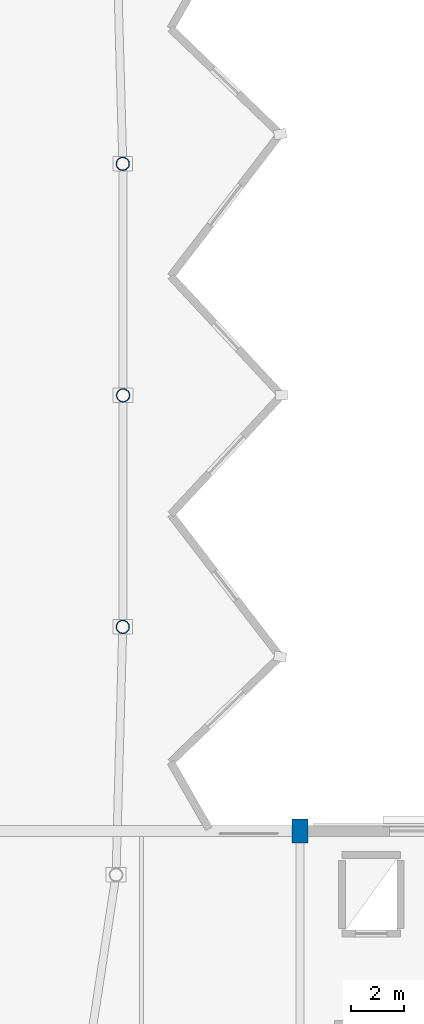
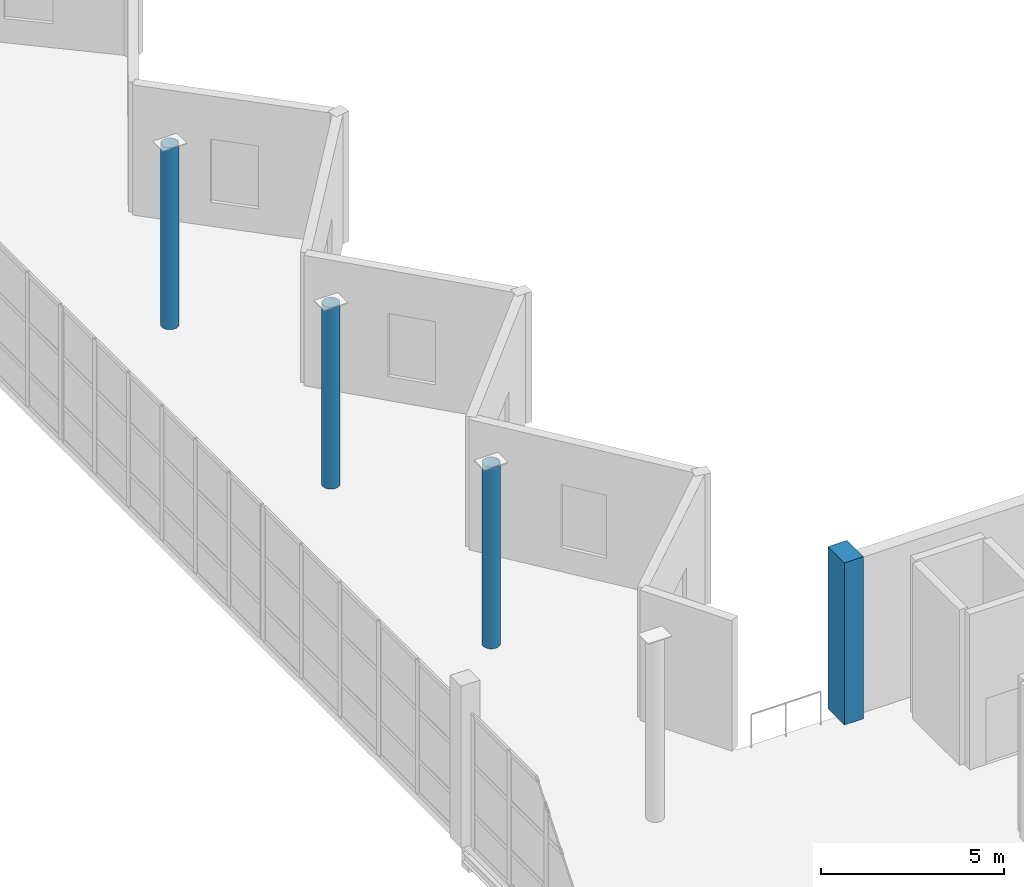
# One storey, part 5 of 49: 4 columns.
"""IFC4 building model written with IfcOpenShell, lengths in metres."""

from ifc_helpers import new_model, si_unit, direction, frame, origin, origin_2d, place, context, subcontext, project, spatial, rectangle, hollow_circle, extrude, material, material_profile, profile_set, type_object, element, save


model = new_model("IFC4")

# Units and contexts
model_context = context("Model", 3, precision=1e-05, world=origin(), true_north=direction((0.0, 1.0)))
body_context = subcontext(model_context, "Body", "Model", "MODEL_VIEW")
ifc_project = project(units=[si_unit("LENGTHUNIT", "METRE"), si_unit("AREAUNIT", "SQUARE_METRE"), si_unit("VOLUMEUNIT", "CUBIC_METRE"), si_unit("PLANEANGLEUNIT", "RADIAN"), si_unit("MASSUNIT", "GRAM", prefix="KILO")], contexts=[model_context])

# Site, building, storey
site_placement = place(None, origin())
site = spatial("IfcSite", under=ifc_project, at=site_placement, CompositionType="ELEMENT")
building_placement = place(site_placement, origin())
building = spatial("IfcBuilding", under=site, at=building_placement, Name="Luwafu Chhajja Arena", CompositionType="ELEMENT")
storey_placement = place(building_placement, frame((0.0, 0.0, 24.300048828125)))
storey = spatial("IfcBuildingStorey", under=building, at=storey_placement, Name="L05", CompositionType="ELEMENT", Elevation=24.300048828125)

# Columns
ifc_material_1 = material(Name="Steel S355", Category="steel")
ifc_material_profile_1 = material_profile(ifc_material_1, hollow_circle(Radius=0.25390625, WallThickness=0.02001953125, at=origin_2d()), Name="CHS 508x20")
ifc_profile_set_1 = profile_set([ifc_material_profile_1], Name="Steel S355")
column_type_1 = type_object("IfcColumnType", Name="Steel Upper Drum Column CHS 508", PredefinedType="COLUMN", material=ifc_profile_set_1)
for number, where, z_axis, x_axis, name in (
    (1, (145.300048828125, 49.5, 0.0), (0.0, 0.0, 1.0), (1.0, 0.0, 0.0), "L05 Bowl Drum Column D01"),
    (2, (145.28759765625, 58.269775390625, 0.0), (0.0, 0.0, 1.0), (1.0, 0.0, 0.0), "L05 Bowl Drum Column D02"),
    (3, (145.28759765625, 40.730224609375, 0.0), (0.0, 0.0, 1.0), (1.0, 0.0, 0.0), "L05 Bowl Drum Column D32"),
):
    element("IfcColumn", number, at=place(storey_placement, frame(where, z_axis=z_axis, x_axis=x_axis)), inside=storey, type_object=column_type_1, Name=name, PredefinedType="COLUMN", context=body_context, shape_type="SweptSolid", body=[
        extrude(hollow_circle(Radius=0.25390625, WallThickness=0.02001953125, at=origin_2d()), origin(), (0.0, 0.0, 1.0), 6.050048828125),
    ])
ifc_material_2 = material(Name="Concrete C40/50", Category="concrete")
ifc_material_profile_2 = material_profile(ifc_material_2, rectangle(XDim=0.60009765625, YDim=0.89990234375, at=origin_2d()), Name="RC 600x900")
ifc_profile_set_2 = profile_set([ifc_material_profile_2], Name="Concrete C40/50")
column_type_2 = type_object("IfcColumnType", Name="Warm-Up Hall Portal Column RC 600x900", PredefinedType="COLUMN", material=ifc_profile_set_2)
column_placement = place(storey_placement, frame((152.0, 33.0, 0.0), z_axis=(0.0, 0.0, 1.0), x_axis=(1.0, 0.0, 0.0)))
element("IfcColumn", 4, at=column_placement, inside=storey, type_object=column_type_2, Name="L05 Grid Column 14/D", PredefinedType="COLUMN", context=body_context, shape_type="SweptSolid", body=[
    extrude(rectangle(XDim=0.60009765625, YDim=0.89990234375, at=origin_2d()), origin(), (0.0, 0.0, 1.0), 5.39990234375),
])

save(model, "model.ifc")
